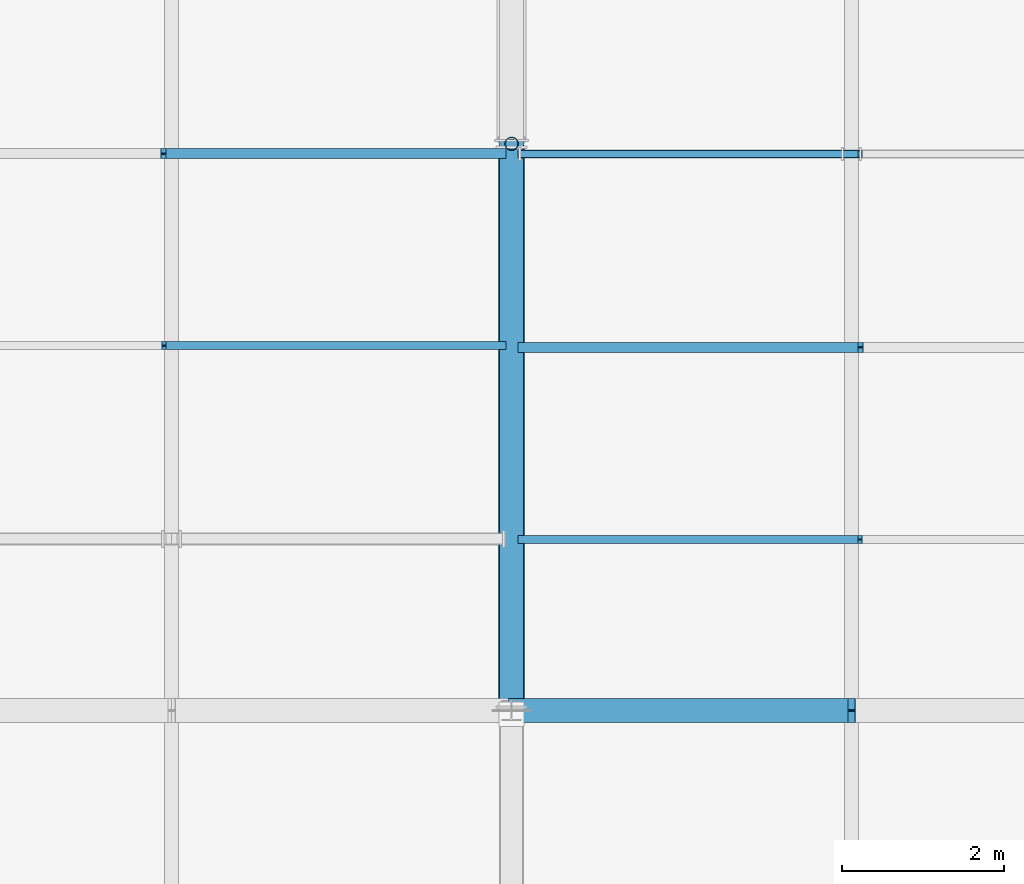
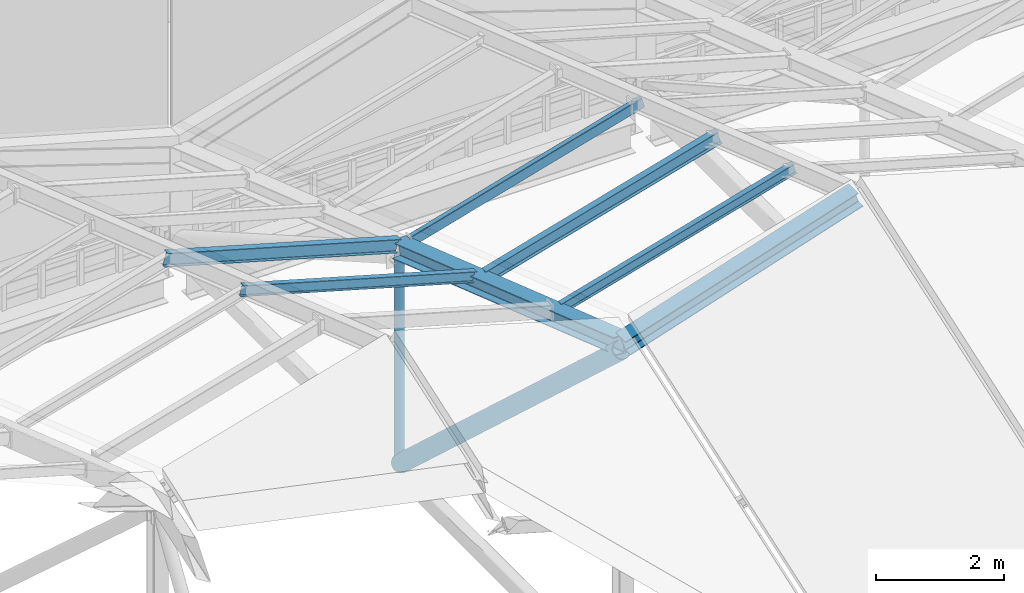
# One storey, part 19 of 77: 9 members.
"""IFC4 building model written with IfcOpenShell, lengths in metres."""

from ifc_helpers import new_model, si_unit, direction, frame, origin, origin_2d, place, context, subcontext, project, spatial, hollow_rectangle, hollow_circle, i_section, extrude, material, material_profile, profile_set, type_object, element, save


model = new_model("IFC4")

# Units and contexts
model_context = context("Model", 3, precision=1e-05, world=origin(), true_north=direction((0.0, 1.0)))
body_context = subcontext(model_context, "Body", "Model", "MODEL_VIEW")
ifc_project = project(units=[si_unit("LENGTHUNIT", "METRE"), si_unit("AREAUNIT", "SQUARE_METRE"), si_unit("VOLUMEUNIT", "CUBIC_METRE"), si_unit("PLANEANGLEUNIT", "RADIAN"), si_unit("MASSUNIT", "GRAM", prefix="KILO")], contexts=[model_context])

# Site, building, storey
site_placement = place(None, origin())
site = spatial("IfcSite", under=ifc_project, at=site_placement, CompositionType="ELEMENT")
building_placement = place(site_placement, origin())
building = spatial("IfcBuilding", under=site, at=building_placement, Name="Larkvane Passage Sports Hall", CompositionType="ELEMENT")
storey_placement = place(building_placement, frame((0.0, 0.0, 22.199951171875)))
storey = spatial("IfcBuildingStorey", under=building, at=storey_placement, Name="RF", CompositionType="ELEMENT", Elevation=22.199951171875)

# Members
ifc_material_1 = material(Name="Steel S460N", Category="steel")
ifc_material_profile_1 = material_profile(ifc_material_1, hollow_circle(Radius=0.1591796875, WallThickness=0.01025390625, at=origin_2d()), Name="CHS-318.5x10.3")
ifc_profile_set_1 = profile_set([ifc_material_profile_1], Name="Steel S460N")
member_type_1 = type_object("IfcMemberType", Name="MBR-BR-CHS318", PredefinedType="BRACE", material=ifc_profile_set_1)
member_1_placement = place(storey_placement, frame((60.0, 61.64990234375, 6.5400390625), z_axis=(0.0, 0.735826705176, -0.67716989002), x_axis=(-1.0, 0.0, 0.0)))
element("IfcMember", 1, at=member_1_placement, inside=storey, type_object=member_type_1, Name="Arena roof truss 4 web brace 5", PredefinedType="BRACE", context=body_context, shape_type="SweptSolid", body=[
    extrude(hollow_circle(Radius=0.1591796875, WallThickness=0.01025390625, at=origin_2d()), origin(), (0.0, 0.0, 1.0), 9.37744140625),
])
ifc_material_profile_2 = material_profile(ifc_material_1, i_section(OverallWidth=0.300048828125, OverallDepth=0.300048828125, WebThickness=0.010009765625, FlangeThickness=0.014892578125, FilletRadius=0.012939453125, at=origin_2d()), Name="H-300x300x10x15")
ifc_profile_set_2 = profile_set([ifc_material_profile_2], Name="Steel S460N")
member_type_2 = type_object("IfcMemberType", Name="MBR-CH-H300", PredefinedType="CHORD", material=ifc_profile_set_2)
member_2_placement = place(storey_placement, frame((60.0, 61.60009765625, 6.679931640625), z_axis=(0.0, 0.945949994576, -0.324312515579), x_axis=(-1.0, 0.0, 0.0)))
element("IfcMember", 2, at=member_2_placement, inside=storey, type_object=member_type_2, Name="Arena roof truss 4 top chord 5", PredefinedType="CHORD", context=body_context, shape_type="SweptSolid", body=[
    extrude(i_section(OverallWidth=0.300048828125, OverallDepth=0.300048828125, WebThickness=0.010009765625, FlangeThickness=0.014892578125, FilletRadius=0.012939453125, at=origin_2d()), origin(), (0.0, 0.0, 1.0), 7.39990234375),
])
member_3_placement = place(storey_placement, frame((60.0, 61.60009765625, 6.679931640625), z_axis=(0.950691943721, 0.0, 0.310136789407), x_axis=(0.0, 1.0, 0.0)))
element("IfcMember", 3, at=member_3_placement, inside=storey, type_object=member_type_2, Name="Arena roof fold tie 4-RIDGE-W", PredefinedType="CHORD", context=body_context, shape_type="SweptSolid", body=[
    extrude(i_section(OverallWidth=0.300048828125, OverallDepth=0.300048828125, WebThickness=0.010009765625, FlangeThickness=0.014892578125, FilletRadius=0.012939453125, at=origin_2d()), origin(), (0.0, 0.0, 1.0), 4.417724609375),
])
ifc_material_2 = material(Name="Steel S355JR", Category="steel")
ifc_material_profile_3 = material_profile(ifc_material_2, i_section(OverallWidth=0.10009765625, OverallDepth=0.199951171875, WebThickness=0.005615234375, FlangeThickness=0.008056640625, FilletRadius=0.008056640625, at=origin_2d()), Name="H-200x100x5.5x8")
ifc_profile_set_3 = profile_set([ifc_material_profile_3], Name="Steel S355JR")
member_type_3 = type_object("IfcMemberType", Name="MBR-PR-H200", PredefinedType="PURLIN", material=ifc_profile_set_3)
for number, where, z_axis, x_axis, name in (
    (4, (55.704833984375, 66.105712890625, 6.482666015625), (0.96152605678, 0.0, -0.274713745804), (0.0, 1.0, 0.0), "Folded roof purlin FRP-B3-NE-2"),
    (5, (60.105712890625, 63.713134765625, 6.062255859375), (0.96152605678, 0.0, 0.274713745804), (0.0, 1.0, 0.0), "Folded roof purlin FRP-B4-NW-1"),
):
    element("IfcMember", number, at=place(storey_placement, frame(where, z_axis=z_axis, x_axis=x_axis)), inside=storey, type_object=member_type_3, Name=name, PredefinedType="PURLIN", context=body_context, shape_type="SweptSolid", body=[
        extrude(i_section(OverallWidth=0.10009765625, OverallDepth=0.199951171875, WebThickness=0.005615234375, FlangeThickness=0.008056640625, FilletRadius=0.008056640625, at=origin_2d()), origin(), (0.0, 0.0, 1.0), 4.367919921875),
    ])
ifc_material_profile_4 = material_profile(ifc_material_2, i_section(OverallWidth=0.125, OverallDepth=0.25, WebThickness=0.006103515625, FlangeThickness=0.009033203125, FilletRadius=0.008056640625, at=origin_2d()), Name="H-250x125x6x9")
ifc_profile_set_4 = profile_set([ifc_material_profile_4], Name="Steel S355JR")
member_type_4 = type_object("IfcMemberType", Name="MBR-PR-H250", PredefinedType="PURLIN", material=ifc_profile_set_4)
for number, where, z_axis, x_axis, name in (
    (6, (55.6982421875, 68.477783203125, 5.643798828125), (0.96152605678, 0.0, -0.274713745804), (0.0, 1.0, 0.0), "Folded roof purlin FRP-B3-NE-3"),
    (7, (60.1123046875, 66.08544921875, 5.223388671875), (0.96152605678, 0.0, 0.274713745804), (0.0, 1.0, 0.0), "Folded roof purlin FRP-B4-NW-2"),
):
    element("IfcMember", number, at=place(storey_placement, frame(where, z_axis=z_axis, x_axis=x_axis)), inside=storey, type_object=member_type_4, Name=name, PredefinedType="PURLIN", context=body_context, shape_type="SweptSolid", body=[
        extrude(i_section(OverallWidth=0.125, OverallDepth=0.25, WebThickness=0.006103515625, FlangeThickness=0.009033203125, FilletRadius=0.008056640625, at=origin_2d()), origin(), (0.0, 0.0, 1.0), 4.367919921875),
    ])
ifc_material_profile_5 = material_profile(ifc_material_2, hollow_rectangle(XDim=0.10009765625, YDim=0.199951171875, WallThickness=0.008056640625, InnerFilletRadius=0.008056640625, OuterFilletRadius=0.01611328125, at=origin_2d()), Name="RHS-200x100x8")
ifc_profile_set_5 = profile_set([ifc_material_profile_5], Name="Steel S355JR")
member_type_5 = type_object("IfcMemberType", Name="MBR-PR-RHS200", PredefinedType="PURLIN", material=ifc_profile_set_5)
member_4_placement = place(storey_placement, frame((60.105712890625, 68.47314453125, 4.43017578125), z_axis=(0.96152605678, 0.0, 0.274713745804), x_axis=(0.0, 1.0, 0.0)))
element("IfcMember", 8, at=member_4_placement, inside=storey, type_object=member_type_5, Name="Folded roof purlin FRP-B4-NW-3", PredefinedType="PURLIN", context=body_context, shape_type="SweptSolid", body=[
    extrude(hollow_rectangle(XDim=0.10009765625, YDim=0.199951171875, WallThickness=0.008056640625, InnerFilletRadius=0.008056640625, OuterFilletRadius=0.01611328125, at=origin_2d()), origin(), (0.0, 0.0, 1.0), 4.367919921875),
])
ifc_material_profile_6 = material_profile(ifc_material_2, hollow_circle(Radius=0.08251953125, WallThickness=0.006103515625, at=origin_2d()), Name="CHS-165.2x6.0")
ifc_profile_set_6 = profile_set([ifc_material_profile_6], Name="Steel S355JR")
member_type_6 = type_object("IfcMemberType", Name="MBR-ST-CHS165", PredefinedType="STRUT", material=ifc_profile_set_6)
member_5_placement = place(storey_placement, frame((60.0, 68.60009765625, 0.18994140625), z_axis=(0.0, 0.0, 1.0), x_axis=(1.0, 0.0, 0.0)))
element("IfcMember", 9, at=member_5_placement, inside=storey, type_object=member_type_6, Name="Arena roof truss 4 vertical strut 5", PredefinedType="STRUT", context=body_context, shape_type="SweptSolid", body=[
    extrude(hollow_circle(Radius=0.08251953125, WallThickness=0.006103515625, at=origin_2d()), origin(), (0.0, 0.0, 1.0), 3.9501953125),
])

save(model, "model.ifc")
